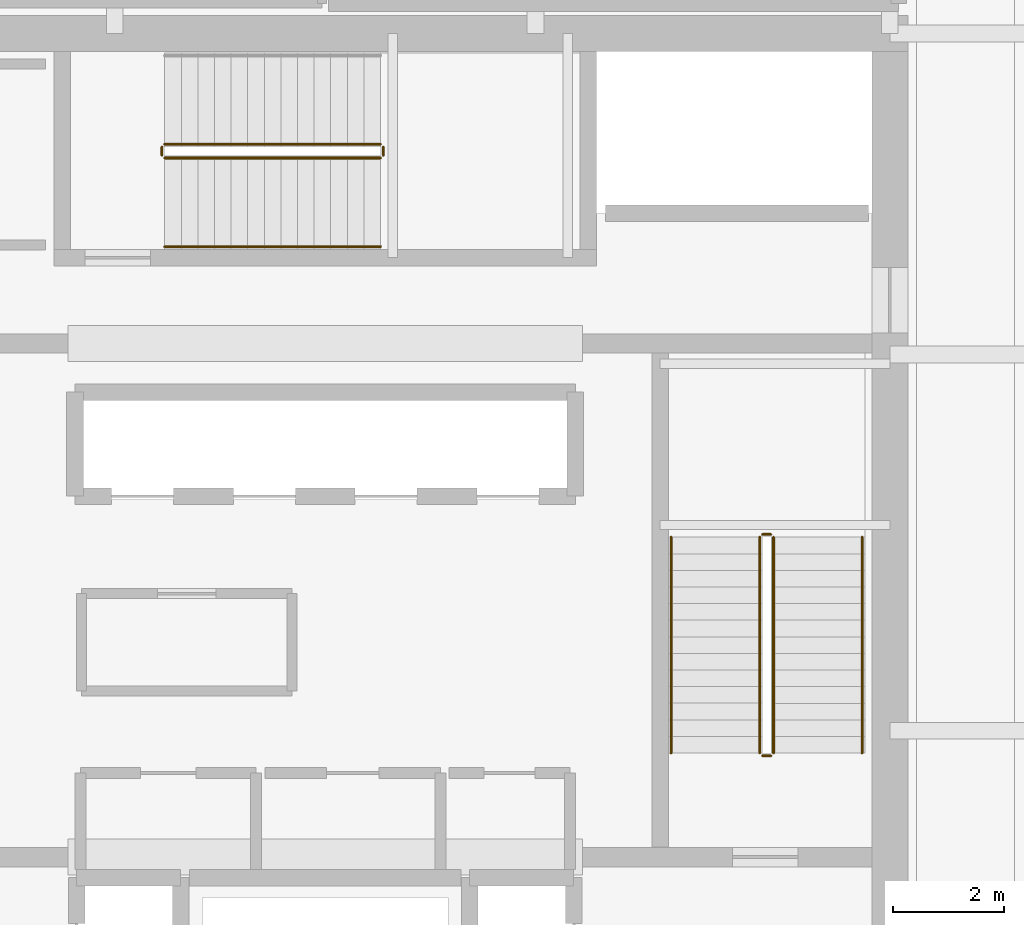
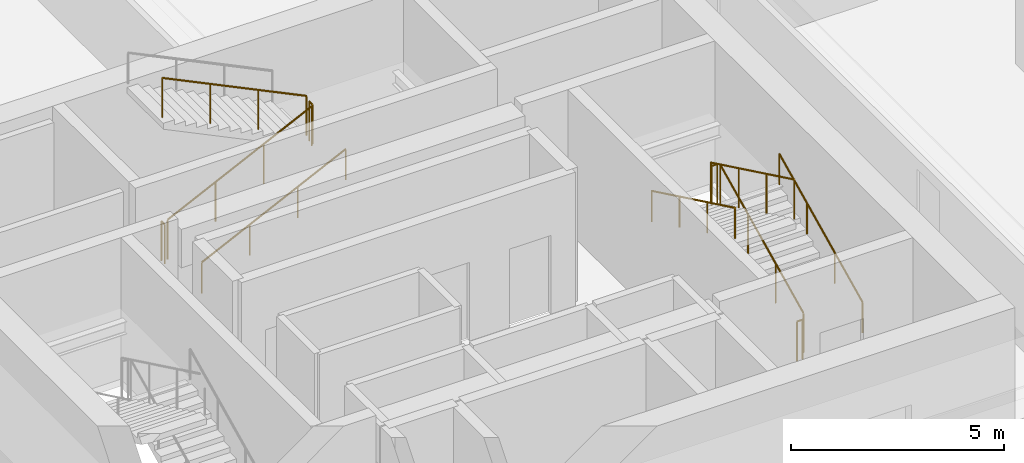
# One storey, part 34 of 35: 11 railings.
"""IFC4 building model written with IfcOpenShell, lengths in metres."""

from ifc_helpers import new_model, si_unit, direction, frame, origin, origin_2d, place, context, subcontext, project, spatial, circle, extrude, material, type_object, element, save


model = new_model("IFC4")

# Units and contexts
model_context = context("Model", 3, precision=1e-05, world=origin(), true_north=direction((0.0, 1.0)))
body_context = subcontext(model_context, "Body", "Model", "MODEL_VIEW")
ifc_project = project(units=[si_unit("LENGTHUNIT", "METRE"), si_unit("AREAUNIT", "SQUARE_METRE"), si_unit("VOLUMEUNIT", "CUBIC_METRE"), si_unit("PLANEANGLEUNIT", "RADIAN"), si_unit("MASSUNIT", "GRAM", prefix="KILO")], contexts=[model_context])

# Site, building, storey
site_placement = place(None, origin())
site = spatial("IfcSite", under=ifc_project, at=site_placement, CompositionType="ELEMENT")
building_placement = place(site_placement, origin())
building = spatial("IfcBuilding", under=site, at=building_placement, Name="Punatoya Terracotta Tower", CompositionType="ELEMENT")
storey_placement = place(building_placement, frame((0.0, 0.0, 216.75)))
storey = spatial("IfcBuildingStorey", under=building, at=storey_placement, Name="L51", CompositionType="ELEMENT", Elevation=216.75)

# Railings
ifc_material = material(Name="Steel S355", Category="steel")
railing_type_1 = type_object("IfcRailingType", Name="RLG-GRD-1150", PredefinedType="GUARDRAIL", material=ifc_material)
railing_1_placement = place(storey_placement, frame((8.10009765625, -3.800048828125, 0.14453125)))
element("IfcRailing", 1, at=railing_1_placement, inside=storey, type_object=railing_type_1, Name="L51 ST-2 stair guard 1", PredefinedType="GUARDRAIL", context=body_context, shape_type="SweptSolid", body=[
    extrude(circle(Radius=0.02392578125, at=origin_2d()), frame((0.0, 0.0, 1.1259765625), z_axis=(0.0, 0.900773802044, 0.434288564841), x_axis=(-1.0, 0.0, 0.0)), (0.0, 0.0, 1.0), 4.329833984375),
    extrude(circle(Radius=0.02099609375, at=origin_2d()), origin(), (0.0, 0.0, 1.0), 1.101806640625),
    extrude(circle(Radius=0.02099609375, at=origin_2d()), frame((0.0, 1.300048828125, 0.626708984375)), (0.0, 0.0, 1.0), 1.101806640625),
    extrude(circle(Radius=0.02099609375, at=origin_2d()), frame((0.0, 2.60009765625, 1.253662109375)), (0.0, 0.0, 1.0), 1.101806640625),
    extrude(circle(Radius=0.02099609375, at=origin_2d()), frame((0.0, 3.900146484375, 1.88037109375)), (0.0, 0.0, 1.0), 1.101806640625),
])
railing_2_placement = place(storey_placement, frame((8.050048828125, 0.14990234375, 2.02490234375)))
element("IfcRailing", 2, at=railing_2_placement, inside=storey, type_object=railing_type_1, Name="L51 ST-2 stair guard 2", PredefinedType="GUARDRAIL", context=body_context, shape_type="SweptSolid", body=[
    extrude(circle(Radius=0.02392578125, at=origin_2d()), frame((0.0, 0.0, 1.1259765625), z_axis=(-1.0, 0.0, 0.0), x_axis=(0.0, -1.0, 0.0)), (0.0, 0.0, 1.0), 0.150146484375),
    extrude(circle(Radius=0.02099609375, at=origin_2d()), origin(), (0.0, 0.0, 1.0), 1.101806640625),
    extrude(circle(Radius=0.02099609375, at=origin_2d()), frame((-0.150146484375, 0.0, 0.0)), (0.0, 0.0, 1.0), 1.101806640625),
])
railing_3_placement = place(storey_placement, frame((7.85009765625, 0.10009765625, 2.169677734375)))
element("IfcRailing", 3, at=railing_3_placement, inside=storey, type_object=railing_type_1, Name="L51 ST-2 stair guard 3", PredefinedType="GUARDRAIL", context=body_context, shape_type="SweptSolid", body=[
    extrude(circle(Radius=0.02392578125, at=origin_2d()), frame((0.0, 0.0, 1.1259765625), z_axis=(0.0, -0.900773802044, 0.434288564841), x_axis=(1.0, 0.0, 0.0)), (0.0, 0.0, 1.0), 4.329833984375),
    extrude(circle(Radius=0.02099609375, at=origin_2d()), origin(), (0.0, 0.0, 1.0), 1.101806640625),
    extrude(circle(Radius=0.02099609375, at=origin_2d()), frame((0.0, -1.300048828125, 0.626708984375)), (0.0, 0.0, 1.0), 1.101806640625),
    extrude(circle(Radius=0.02099609375, at=origin_2d()), frame((0.0, -2.60009765625, 1.253662109375)), (0.0, 0.0, 1.0), 1.101806640625),
    extrude(circle(Radius=0.02099609375, at=origin_2d()), frame((0.0, -3.900146484375, 1.88037109375)), (0.0, 0.0, 1.0), 1.101806640625),
])
railing_4_placement = place(storey_placement, frame((8.050048828125, -3.85009765625, 0.0)))
element("IfcRailing", 4, at=railing_4_placement, inside=storey, type_object=railing_type_1, Name="L51 ST-2 stair guard 4", PredefinedType="GUARDRAIL", context=body_context, shape_type="SweptSolid", body=[
    extrude(circle(Radius=0.02392578125, at=origin_2d()), frame((0.0, 0.0, 1.1259765625), z_axis=(-1.0, 0.0, 0.0), x_axis=(0.0, -1.0, 0.0)), (0.0, 0.0, 1.0), 0.150146484375),
    extrude(circle(Radius=0.02099609375, at=origin_2d()), origin(), (0.0, 0.0, 1.0), 1.101806640625),
    extrude(circle(Radius=0.02099609375, at=origin_2d()), frame((-0.150146484375, 0.0, 0.0)), (0.0, 0.0, 1.0), 1.101806640625),
])
railing_5_placement = place(storey_placement, frame((-2.89990234375, 6.949951171875, 0.14453125)))
element("IfcRailing", 5, at=railing_5_placement, inside=storey, type_object=railing_type_1, Name="L51 ST-3 stair guard 1", PredefinedType="GUARDRAIL", context=body_context, shape_type="SweptSolid", body=[
    extrude(circle(Radius=0.02392578125, at=origin_2d()), frame((0.0, 0.0, 1.1259765625), z_axis=(0.900763166376, 0.0, 0.434310623978), x_axis=(0.0, 1.0, 0.0)), (0.0, 0.0, 1.0), 4.32958984375),
    extrude(circle(Radius=0.02099609375, at=origin_2d()), origin(), (0.0, 0.0, 1.0), 1.101806640625),
    extrude(circle(Radius=0.02099609375, at=origin_2d()), frame((1.300048828125, 0.0, 0.626708984375)), (0.0, 0.0, 1.0), 1.101806640625),
    extrude(circle(Radius=0.02099609375, at=origin_2d()), frame((2.599853515625, 0.0, 1.253662109375)), (0.0, 0.0, 1.0), 1.101806640625),
    extrude(circle(Radius=0.02099609375, at=origin_2d()), frame((3.89990234375, 0.0, 1.88037109375)), (0.0, 0.0, 1.0), 1.101806640625),
])
railing_6_placement = place(storey_placement, frame((1.050048828125, 7.0, 2.02490234375)))
element("IfcRailing", 6, at=railing_6_placement, inside=storey, type_object=railing_type_1, Name="L51 ST-3 stair guard 2", PredefinedType="GUARDRAIL", context=body_context, shape_type="SweptSolid", body=[
    extrude(circle(Radius=0.02392578125, at=origin_2d()), frame((0.0, 0.0, 1.1259765625), z_axis=(0.0, 1.0, 0.0), x_axis=(-1.0, 0.0, 0.0)), (0.0, 0.0, 1.0), 0.14990234375),
    extrude(circle(Radius=0.02099609375, at=origin_2d()), origin(), (0.0, 0.0, 1.0), 1.101806640625),
    extrude(circle(Radius=0.02099609375, at=origin_2d()), frame((0.0, 0.14990234375, 0.0)), (0.0, 0.0, 1.0), 1.101806640625),
])
railing_7_placement = place(storey_placement, frame((1.0, 7.199951171875, 2.169677734375)))
element("IfcRailing", 7, at=railing_7_placement, inside=storey, type_object=railing_type_1, Name="L51 ST-3 stair guard 3", PredefinedType="GUARDRAIL", context=body_context, shape_type="SweptSolid", body=[
    extrude(circle(Radius=0.02392578125, at=origin_2d()), frame((0.0, 0.0, 1.1259765625), z_axis=(-0.900763166376, 0.0, 0.434310623978), x_axis=(0.0, -1.0, 0.0)), (0.0, 0.0, 1.0), 4.32958984375),
    extrude(circle(Radius=0.02099609375, at=origin_2d()), origin(), (0.0, 0.0, 1.0), 1.101806640625),
    extrude(circle(Radius=0.02099609375, at=origin_2d()), frame((-1.300048828125, 0.0, 0.626708984375)), (0.0, 0.0, 1.0), 1.101806640625),
    extrude(circle(Radius=0.02099609375, at=origin_2d()), frame((-2.599853515625, 0.0, 1.253662109375)), (0.0, 0.0, 1.0), 1.101806640625),
    extrude(circle(Radius=0.02099609375, at=origin_2d()), frame((-3.89990234375, 0.0, 1.88037109375)), (0.0, 0.0, 1.0), 1.101806640625),
])
railing_8_placement = place(storey_placement, frame((-2.949951171875, 7.0, 0.0)))
element("IfcRailing", 8, at=railing_8_placement, inside=storey, type_object=railing_type_1, Name="L51 ST-3 stair guard 4", PredefinedType="GUARDRAIL", context=body_context, shape_type="SweptSolid", body=[
    extrude(circle(Radius=0.02392578125, at=origin_2d()), frame((0.0, 0.0, 1.1259765625), z_axis=(0.0, 1.0, 0.0), x_axis=(-1.0, 0.0, 0.0)), (0.0, 0.0, 1.0), 0.14990234375),
    extrude(circle(Radius=0.02099609375, at=origin_2d()), origin(), (0.0, 0.0, 1.0), 1.101806640625),
    extrude(circle(Radius=0.02099609375, at=origin_2d()), frame((0.0, 0.14990234375, 0.0)), (0.0, 0.0, 1.0), 1.101806640625),
])
railing_type_2 = type_object("IfcRailingType", Name="RLG-HND-900", PredefinedType="HANDRAIL", material=ifc_material)
railing_9_placement = place(storey_placement, frame((9.699951171875, -3.800048828125, 0.14453125)))
element("IfcRailing", 9, at=railing_9_placement, inside=storey, type_object=railing_type_2, Name="L51 ST-2 stair handrail 1", PredefinedType="HANDRAIL", context=body_context, shape_type="SweptSolid", body=[
    extrude(circle(Radius=0.02392578125, at=origin_2d()), frame((0.0, 0.0, 0.8759765625), z_axis=(0.0, 0.900773802044, 0.434288564841), x_axis=(-1.0, 0.0, 0.0)), (0.0, 0.0, 1.0), 4.329833984375),
    extrude(circle(Radius=0.02099609375, at=origin_2d()), origin(), (0.0, 0.0, 1.0), 0.851806640625),
    extrude(circle(Radius=0.02099609375, at=origin_2d()), frame((0.0, 1.300048828125, 0.626708984375)), (0.0, 0.0, 1.0), 0.851806640625),
    extrude(circle(Radius=0.02099609375, at=origin_2d()), frame((0.0, 2.60009765625, 1.253662109375)), (0.0, 0.0, 1.0), 0.851806640625),
    extrude(circle(Radius=0.02099609375, at=origin_2d()), frame((0.0, 3.900146484375, 1.88037109375)), (0.0, 0.0, 1.0), 0.851806640625),
])
railing_10_placement = place(storey_placement, frame((6.25, 0.10009765625, 2.169677734375)))
element("IfcRailing", 10, at=railing_10_placement, inside=storey, type_object=railing_type_2, Name="L51 ST-2 stair handrail 2", PredefinedType="HANDRAIL", context=body_context, shape_type="SweptSolid", body=[
    extrude(circle(Radius=0.02392578125, at=origin_2d()), frame((0.0, 0.0, 0.8759765625), z_axis=(0.0, -0.900773802044, 0.434288564841), x_axis=(1.0, 0.0, 0.0)), (0.0, 0.0, 1.0), 4.329833984375),
    extrude(circle(Radius=0.02099609375, at=origin_2d()), origin(), (0.0, 0.0, 1.0), 0.851806640625),
    extrude(circle(Radius=0.02099609375, at=origin_2d()), frame((0.0, -1.300048828125, 0.626708984375)), (0.0, 0.0, 1.0), 0.851806640625),
    extrude(circle(Radius=0.02099609375, at=origin_2d()), frame((0.0, -2.60009765625, 1.253662109375)), (0.0, 0.0, 1.0), 0.851806640625),
    extrude(circle(Radius=0.02099609375, at=origin_2d()), frame((0.0, -3.900146484375, 1.88037109375)), (0.0, 0.0, 1.0), 0.851806640625),
])
railing_11_placement = place(storey_placement, frame((-2.89990234375, 5.35009765625, 0.14453125)))
element("IfcRailing", 11, at=railing_11_placement, inside=storey, type_object=railing_type_2, Name="L51 ST-3 stair handrail 1", PredefinedType="HANDRAIL", context=body_context, shape_type="SweptSolid", body=[
    extrude(circle(Radius=0.02392578125, at=origin_2d()), frame((0.0, 0.0, 0.8759765625), z_axis=(0.900763166376, 0.0, 0.434310623978), x_axis=(0.0, 1.0, 0.0)), (0.0, 0.0, 1.0), 4.32958984375),
    extrude(circle(Radius=0.02099609375, at=origin_2d()), origin(), (0.0, 0.0, 1.0), 0.851806640625),
    extrude(circle(Radius=0.02099609375, at=origin_2d()), frame((1.300048828125, 0.0, 0.626708984375)), (0.0, 0.0, 1.0), 0.851806640625),
    extrude(circle(Radius=0.02099609375, at=origin_2d()), frame((2.599853515625, 0.0, 1.253662109375)), (0.0, 0.0, 1.0), 0.851806640625),
    extrude(circle(Radius=0.02099609375, at=origin_2d()), frame((3.89990234375, 0.0, 1.88037109375)), (0.0, 0.0, 1.0), 0.851806640625),
])

save(model, "model.ifc")
